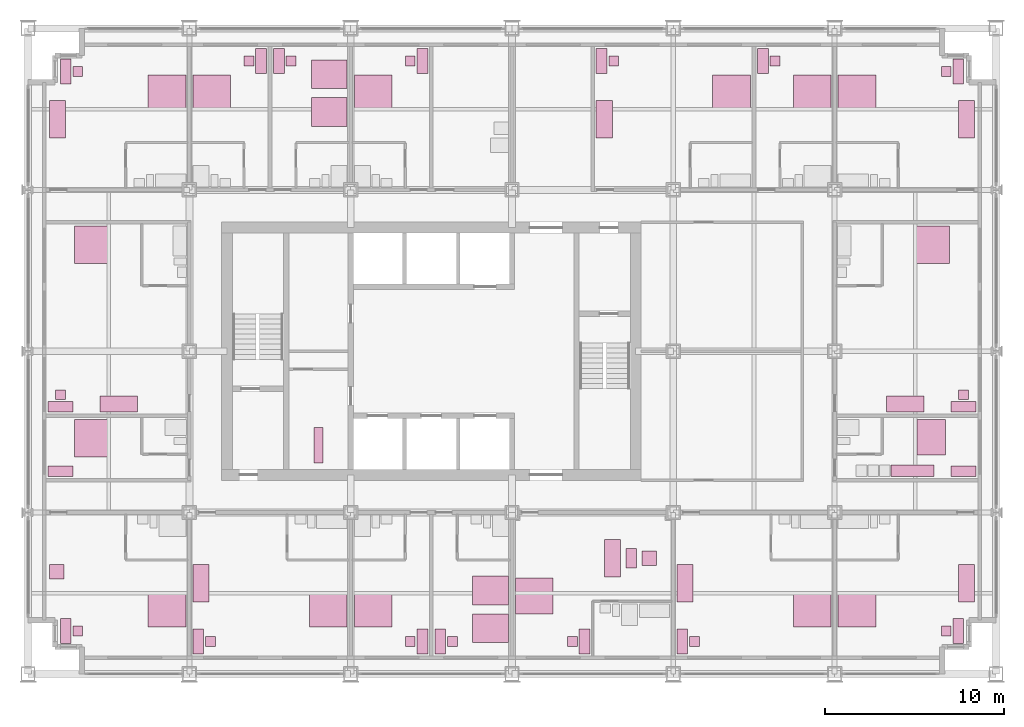
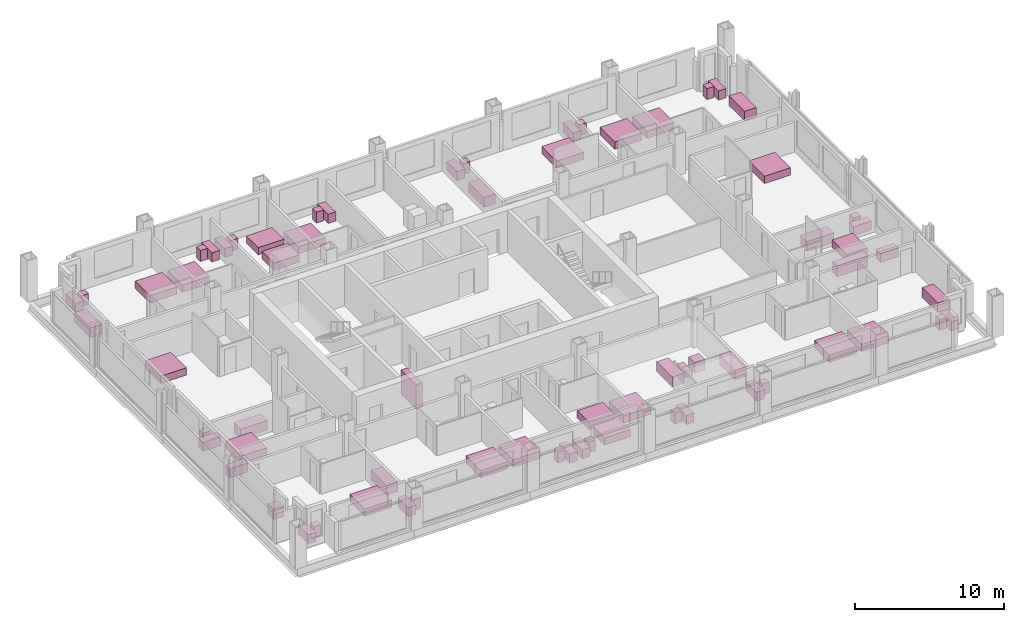
# One storey, part 18 of 18: 68 furniture elements.
"""IFC4 building model written with IfcOpenShell, lengths in metres."""

from ifc_helpers import new_model, si_unit, direction, frame, origin, origin_2d, place, context, subcontext, project, spatial, rectangle, extrude, element, save


model = new_model("IFC4")

# Units and contexts
model_context = context("Model", 3, precision=1e-05, world=origin(), true_north=direction((0.0, 1.0)))
body_context = subcontext(model_context, "Body", "Model", "MODEL_VIEW")
ifc_project = project(units=[si_unit("LENGTHUNIT", "METRE"), si_unit("AREAUNIT", "SQUARE_METRE"), si_unit("VOLUMEUNIT", "CUBIC_METRE"), si_unit("PLANEANGLEUNIT", "RADIAN"), si_unit("MASSUNIT", "GRAM", prefix="KILO")], contexts=[model_context])

# Site, building, storey
site_placement = place(None, origin())
site = spatial("IfcSite", under=ifc_project, at=site_placement, CompositionType="ELEMENT")
building_placement = place(site_placement, origin())
building = spatial("IfcBuilding", under=site, at=building_placement, Name="Loomwork Tower", CompositionType="ELEMENT")
storey_placement = place(building_placement, frame((0.0, 0.0, 65.39990234375)))
storey = spatial("IfcBuildingStorey", under=building, at=storey_placement, Name="L16", CompositionType="ELEMENT", Elevation=65.39990234375)

# Furniture
furniture_1_placement = place(storey_placement, frame((7.75, 3.60009765625, 0.0), z_axis=(0.0, 0.0, 1.0), x_axis=(1.0, 0.0, 0.0)))
element("IfcFurniture", 1, at=furniture_1_placement, inside=storey, Name="King bed L16", PredefinedType="BED", context=body_context, shape_type="SweptSolid", body=[
    extrude(rectangle(XDim=2.10009765625, YDim=2.0, at=origin_2d()), origin(), (0.0, 0.0, 1.0), 0.60009765625),
])
furniture_2_placement = place(storey_placement, frame((2.10009765625, 2.39990234375, 0.0), z_axis=(0.0, 0.0, 1.0), x_axis=(1.0, 0.0, 0.0)))
element("IfcFurniture", 2, at=furniture_2_placement, inside=storey, Name="Writing desk L16", PredefinedType="DESK", context=body_context, shape_type="SweptSolid", body=[
    extrude(rectangle(XDim=0.60009765625, YDim=1.39990234375, at=origin_2d()), origin(), (0.0, 0.0, 1.0), 0.75),
])
furniture_3_placement = place(storey_placement, frame((2.77490234375, 2.39990234375, 0.000244140625), z_axis=(0.0, 0.0, 1.0), x_axis=(1.0, 0.0, 0.0)))
element("IfcFurniture", 3, at=furniture_3_placement, inside=storey, Name="Desk chair L16", PredefinedType="CHAIR", context=body_context, shape_type="SweptSolid", body=[
    extrude(rectangle(XDim=0.550048828125, YDim=0.550048828125, at=origin_2d()), origin(), (0.0, 0.0, 1.0), 0.89990234375),
])
furniture_4_placement = place(storey_placement, frame((1.60009765625, 5.699951171875, 0.0), z_axis=(0.0, 0.0, 1.0), x_axis=(1.0, 0.0, 0.0)))
element("IfcFurniture", 4, at=furniture_4_placement, inside=storey, Name="Lounge armchair L16", PredefinedType="CHAIR", context=body_context, shape_type="SweptSolid", body=[
    extrude(rectangle(XDim=0.800048828125, YDim=0.800048828125, at=origin_2d()), origin(), (0.0, 0.0, 1.0), 0.85009765625),
])
furniture_5_placement = place(storey_placement, frame((16.75, 3.60009765625, 0.0), z_axis=(0.0, 0.0, 1.0), x_axis=(1.0, 0.0, 0.0)))
element("IfcFurniture", 5, at=furniture_5_placement, inside=storey, Name="King bed L16", PredefinedType="BED", context=body_context, shape_type="SweptSolid", body=[
    extrude(rectangle(XDim=2.10009765625, YDim=2.0, at=origin_2d()), origin(), (0.0, 0.0, 1.0), 0.60009765625),
])
furniture_6_placement = place(storey_placement, frame((9.5, 1.800048828125, 0.0), z_axis=(0.0, 0.0, 1.0), x_axis=(1.0, 0.0, 0.0)))
element("IfcFurniture", 6, at=furniture_6_placement, inside=storey, Name="Writing desk L16", PredefinedType="DESK", context=body_context, shape_type="SweptSolid", body=[
    extrude(rectangle(XDim=0.60009765625, YDim=1.39990234375, at=origin_2d()), origin(), (0.0, 0.0, 1.0), 0.75),
])
furniture_7_placement = place(storey_placement, frame((10.175048828125, 1.800048828125, 0.000244140625), z_axis=(0.0, 0.0, 1.0), x_axis=(1.0, 0.0, 0.0)))
element("IfcFurniture", 7, at=furniture_7_placement, inside=storey, Name="Desk chair L16", PredefinedType="CHAIR", context=body_context, shape_type="SweptSolid", body=[
    extrude(rectangle(XDim=0.550048828125, YDim=0.550048828125, at=origin_2d()), origin(), (0.0, 0.0, 1.0), 0.89990234375),
])
furniture_8_placement = place(storey_placement, frame((9.64990234375, 5.050048828125, 0.0), z_axis=(0.0, 0.0, 1.0), x_axis=(1.0, 0.0, 0.0)))
element("IfcFurniture", 8, at=furniture_8_placement, inside=storey, Name="Sofa L16", PredefinedType="SOFA", context=body_context, shape_type="SweptSolid", body=[
    extrude(rectangle(XDim=0.89990234375, YDim=2.10009765625, at=origin_2d()), origin(), (0.0, 0.0, 1.0), 0.800048828125),
])
furniture_9_placement = place(storey_placement, frame((19.25, 3.60009765625, 0.0), z_axis=(0.0, 0.0, 1.0), x_axis=(1.0, 0.0, 0.0)))
element("IfcFurniture", 9, at=furniture_9_placement, inside=storey, Name="King bed L16", PredefinedType="BED", context=body_context, shape_type="SweptSolid", body=[
    extrude(rectangle(XDim=2.10009765625, YDim=2.0, at=origin_2d()), origin(), (0.0, 0.0, 1.0), 0.60009765625),
])
furniture_10_placement = place(storey_placement, frame((22.0, 1.800048828125, 0.0), z_axis=(0.0, 0.0, 1.0), x_axis=(1.0, 0.0, 0.0)))
element("IfcFurniture", 10, at=furniture_10_placement, inside=storey, Name="Writing desk L16", PredefinedType="DESK", context=body_context, shape_type="SweptSolid", body=[
    extrude(rectangle(XDim=0.60009765625, YDim=1.39990234375, at=origin_2d()), origin(), (0.0, 0.0, 1.0), 0.75),
])
furniture_11_placement = place(storey_placement, frame((21.324951171875, 1.800048828125, 0.000244140625), z_axis=(0.0, 0.0, 1.0), x_axis=(1.0, 0.0, 0.0)))
element("IfcFurniture", 11, at=furniture_11_placement, inside=storey, Name="Desk chair L16", PredefinedType="CHAIR", context=body_context, shape_type="SweptSolid", body=[
    extrude(rectangle(XDim=0.550048828125, YDim=0.550048828125, at=origin_2d()), origin(), (0.0, 0.0, 1.0), 0.89990234375),
])
for number, where, z_axis, x_axis, name in (
    (12, (25.800048828125, 4.64990234375, 0.0), (0.0, 0.0, 1.0), (1.0, 0.0, 0.0), "Queen bed L16"),
    (13, (25.800048828125, 2.550048828125, 0.0), (0.0, 0.0, 1.0), (1.0, 0.0, 0.0), "Queen bed L16"),
):
    element("IfcFurniture", number, at=place(storey_placement, frame(where, z_axis=z_axis, x_axis=x_axis)), inside=storey, Name=name, PredefinedType="BED", context=body_context, shape_type="SweptSolid", body=[
        extrude(rectangle(XDim=2.0, YDim=1.60009765625, at=origin_2d()), origin(), (0.0, 0.0, 1.0), 0.60009765625),
    ])
furniture_12_placement = place(storey_placement, frame((23.0, 1.800048828125, 0.0), z_axis=(0.0, 0.0, 1.0), x_axis=(1.0, 0.0, 0.0)))
element("IfcFurniture", 14, at=furniture_12_placement, inside=storey, Name="Writing desk L16", PredefinedType="DESK", context=body_context, shape_type="SweptSolid", body=[
    extrude(rectangle(XDim=0.60009765625, YDim=1.39990234375, at=origin_2d()), origin(), (0.0, 0.0, 1.0), 0.75),
])
furniture_13_placement = place(storey_placement, frame((23.675048828125, 1.800048828125, 0.000244140625), z_axis=(0.0, 0.0, 1.0), x_axis=(1.0, 0.0, 0.0)))
element("IfcFurniture", 15, at=furniture_13_placement, inside=storey, Name="Desk chair L16", PredefinedType="CHAIR", context=body_context, shape_type="SweptSolid", body=[
    extrude(rectangle(XDim=0.550048828125, YDim=0.550048828125, at=origin_2d()), origin(), (0.0, 0.0, 1.0), 0.89990234375),
])
furniture_14_placement = place(storey_placement, frame((28.25, 4.35009765625, 0.0), z_axis=(0.0, 0.0, 1.0), x_axis=(1.0, 0.0, 0.0)))
element("IfcFurniture", 16, at=furniture_14_placement, inside=storey, Name="King bed L16", PredefinedType="BED", context=body_context, shape_type="SweptSolid", body=[
    extrude(rectangle(XDim=2.10009765625, YDim=2.0, at=origin_2d()), origin(), (0.0, 0.0, 1.0), 0.60009765625),
])
furniture_15_placement = place(storey_placement, frame((31.050048828125, 1.800048828125, 0.0), z_axis=(0.0, 0.0, 1.0), x_axis=(1.0, 0.0, 0.0)))
element("IfcFurniture", 17, at=furniture_15_placement, inside=storey, Name="Writing desk L16", PredefinedType="DESK", context=body_context, shape_type="SweptSolid", body=[
    extrude(rectangle(XDim=0.60009765625, YDim=1.39990234375, at=origin_2d()), origin(), (0.0, 0.0, 1.0), 0.75),
])
furniture_16_placement = place(storey_placement, frame((30.375, 1.800048828125, 0.000244140625), z_axis=(0.0, 0.0, 1.0), x_axis=(1.0, 0.0, 0.0)))
element("IfcFurniture", 18, at=furniture_16_placement, inside=storey, Name="Desk chair L16", PredefinedType="CHAIR", context=body_context, shape_type="SweptSolid", body=[
    extrude(rectangle(XDim=0.550048828125, YDim=0.550048828125, at=origin_2d()), origin(), (0.0, 0.0, 1.0), 0.89990234375),
])
furniture_17_placement = place(storey_placement, frame((32.60009765625, 6.449951171875, 0.0), z_axis=(0.0, 0.0, 1.0), x_axis=(1.0, 0.0, 0.0)))
element("IfcFurniture", 19, at=furniture_17_placement, inside=storey, Name="Sofa L16", PredefinedType="SOFA", context=body_context, shape_type="SweptSolid", body=[
    extrude(rectangle(XDim=0.89990234375, YDim=2.10009765625, at=origin_2d()), origin(), (0.0, 0.0, 1.0), 0.800048828125),
])
furniture_18_placement = place(storey_placement, frame((33.64990234375, 6.449951171875, 0.0), z_axis=(0.0, 0.0, 1.0), x_axis=(1.0, 0.0, 0.0)))
element("IfcFurniture", 20, at=furniture_18_placement, inside=storey, Name="Coffee table L16", PredefinedType="TABLE", context=body_context, shape_type="SweptSolid", body=[
    extrude(rectangle(XDim=0.60009765625, YDim=1.10009765625, at=origin_2d()), origin(), (0.0, 0.0, 1.0), 0.449951171875),
])
furniture_19_placement = place(storey_placement, frame((34.64990234375, 6.449951171875, 0.0), z_axis=(0.0, 0.0, 1.0), x_axis=(1.0, 0.0, 0.0)))
element("IfcFurniture", 21, at=furniture_19_placement, inside=storey, Name="Lounge armchair L16", PredefinedType="CHAIR", context=body_context, shape_type="SweptSolid", body=[
    extrude(rectangle(XDim=0.800048828125, YDim=0.800048828125, at=origin_2d()), origin(), (0.0, 0.0, 1.0), 0.85009765625),
])
furniture_20_placement = place(storey_placement, frame((43.75, 3.60009765625, 0.0), z_axis=(0.0, 0.0, 1.0), x_axis=(1.0, 0.0, 0.0)))
element("IfcFurniture", 22, at=furniture_20_placement, inside=storey, Name="King bed L16", PredefinedType="BED", context=body_context, shape_type="SweptSolid", body=[
    extrude(rectangle(XDim=2.10009765625, YDim=2.0, at=origin_2d()), origin(), (0.0, 0.0, 1.0), 0.60009765625),
])
furniture_21_placement = place(storey_placement, frame((36.5, 1.800048828125, 0.0), z_axis=(0.0, 0.0, 1.0), x_axis=(1.0, 0.0, 0.0)))
element("IfcFurniture", 23, at=furniture_21_placement, inside=storey, Name="Writing desk L16", PredefinedType="DESK", context=body_context, shape_type="SweptSolid", body=[
    extrude(rectangle(XDim=0.60009765625, YDim=1.39990234375, at=origin_2d()), origin(), (0.0, 0.0, 1.0), 0.75),
])
furniture_22_placement = place(storey_placement, frame((37.175048828125, 1.800048828125, 0.000244140625), z_axis=(0.0, 0.0, 1.0), x_axis=(1.0, 0.0, 0.0)))
element("IfcFurniture", 24, at=furniture_22_placement, inside=storey, Name="Desk chair L16", PredefinedType="CHAIR", context=body_context, shape_type="SweptSolid", body=[
    extrude(rectangle(XDim=0.550048828125, YDim=0.550048828125, at=origin_2d()), origin(), (0.0, 0.0, 1.0), 0.89990234375),
])
furniture_23_placement = place(storey_placement, frame((36.64990234375, 5.050048828125, 0.0), z_axis=(0.0, 0.0, 1.0), x_axis=(1.0, 0.0, 0.0)))
element("IfcFurniture", 25, at=furniture_23_placement, inside=storey, Name="Sofa L16", PredefinedType="SOFA", context=body_context, shape_type="SweptSolid", body=[
    extrude(rectangle(XDim=0.89990234375, YDim=2.10009765625, at=origin_2d()), origin(), (0.0, 0.0, 1.0), 0.800048828125),
])
furniture_24_placement = place(storey_placement, frame((46.25, 3.60009765625, 0.0), z_axis=(0.0, 0.0, 1.0), x_axis=(1.0, 0.0, 0.0)))
element("IfcFurniture", 26, at=furniture_24_placement, inside=storey, Name="King bed L16", PredefinedType="BED", context=body_context, shape_type="SweptSolid", body=[
    extrude(rectangle(XDim=2.10009765625, YDim=2.0, at=origin_2d()), origin(), (0.0, 0.0, 1.0), 0.60009765625),
])
furniture_25_placement = place(storey_placement, frame((51.89990234375, 2.39990234375, 0.0), z_axis=(0.0, 0.0, 1.0), x_axis=(1.0, 0.0, 0.0)))
element("IfcFurniture", 27, at=furniture_25_placement, inside=storey, Name="Writing desk L16", PredefinedType="DESK", context=body_context, shape_type="SweptSolid", body=[
    extrude(rectangle(XDim=0.60009765625, YDim=1.39990234375, at=origin_2d()), origin(), (0.0, 0.0, 1.0), 0.75),
])
furniture_26_placement = place(storey_placement, frame((51.22509765625, 2.39990234375, 0.000244140625), z_axis=(0.0, 0.0, 1.0), x_axis=(1.0, 0.0, 0.0)))
element("IfcFurniture", 28, at=furniture_26_placement, inside=storey, Name="Desk chair L16", PredefinedType="CHAIR", context=body_context, shape_type="SweptSolid", body=[
    extrude(rectangle(XDim=0.550048828125, YDim=0.550048828125, at=origin_2d()), origin(), (0.0, 0.0, 1.0), 0.89990234375),
])
furniture_27_placement = place(storey_placement, frame((52.35009765625, 5.050048828125, 0.0), z_axis=(0.0, 0.0, 1.0), x_axis=(1.0, 0.0, 0.0)))
element("IfcFurniture", 29, at=furniture_27_placement, inside=storey, Name="Sofa L16", PredefinedType="SOFA", context=body_context, shape_type="SweptSolid", body=[
    extrude(rectangle(XDim=0.89990234375, YDim=2.10009765625, at=origin_2d()), origin(), (0.0, 0.0, 1.0), 0.800048828125),
])
furniture_28_placement = place(storey_placement, frame((7.75, 32.39990234375, 0.0), z_axis=(0.0, 0.0, 1.0), x_axis=(1.0, 0.0, 0.0)))
element("IfcFurniture", 30, at=furniture_28_placement, inside=storey, Name="King bed L16", PredefinedType="BED", context=body_context, shape_type="SweptSolid", body=[
    extrude(rectangle(XDim=2.10009765625, YDim=2.0, at=origin_2d()), origin(), (0.0, 0.0, 1.0), 0.60009765625),
])
furniture_29_placement = place(storey_placement, frame((2.10009765625, 33.60009765625, 0.0), z_axis=(0.0, 0.0, 1.0), x_axis=(1.0, 0.0, 0.0)))
element("IfcFurniture", 31, at=furniture_29_placement, inside=storey, Name="Writing desk L16", PredefinedType="DESK", context=body_context, shape_type="SweptSolid", body=[
    extrude(rectangle(XDim=0.60009765625, YDim=1.39990234375, at=origin_2d()), origin(), (0.0, 0.0, 1.0), 0.75),
])
furniture_30_placement = place(storey_placement, frame((2.77490234375, 33.60009765625, 0.000244140625), z_axis=(0.0, 0.0, 1.0), x_axis=(1.0, 0.0, 0.0)))
element("IfcFurniture", 32, at=furniture_30_placement, inside=storey, Name="Desk chair L16", PredefinedType="CHAIR", context=body_context, shape_type="SweptSolid", body=[
    extrude(rectangle(XDim=0.550048828125, YDim=0.550048828125, at=origin_2d()), origin(), (0.0, 0.0, 1.0), 0.89990234375),
])
furniture_31_placement = place(storey_placement, frame((1.64990234375, 30.949951171875, 0.0), z_axis=(0.0, 0.0, 1.0), x_axis=(1.0, 0.0, 0.0)))
element("IfcFurniture", 33, at=furniture_31_placement, inside=storey, Name="Sofa L16", PredefinedType="SOFA", context=body_context, shape_type="SweptSolid", body=[
    extrude(rectangle(XDim=0.89990234375, YDim=2.10009765625, at=origin_2d()), origin(), (0.0, 0.0, 1.0), 0.800048828125),
])
furniture_32_placement = place(storey_placement, frame((10.25, 32.39990234375, 0.0), z_axis=(0.0, 0.0, 1.0), x_axis=(1.0, 0.0, 0.0)))
element("IfcFurniture", 34, at=furniture_32_placement, inside=storey, Name="King bed L16", PredefinedType="BED", context=body_context, shape_type="SweptSolid", body=[
    extrude(rectangle(XDim=2.10009765625, YDim=2.0, at=origin_2d()), origin(), (0.0, 0.0, 1.0), 0.60009765625),
])
furniture_33_placement = place(storey_placement, frame((13.0, 34.199951171875, 0.0), z_axis=(0.0, 0.0, 1.0), x_axis=(1.0, 0.0, 0.0)))
element("IfcFurniture", 35, at=furniture_33_placement, inside=storey, Name="Writing desk L16", PredefinedType="DESK", context=body_context, shape_type="SweptSolid", body=[
    extrude(rectangle(XDim=0.60009765625, YDim=1.39990234375, at=origin_2d()), origin(), (0.0, 0.0, 1.0), 0.75),
])
furniture_34_placement = place(storey_placement, frame((12.324951171875, 34.199951171875, 0.000244140625), z_axis=(0.0, 0.0, 1.0), x_axis=(1.0, 0.0, 0.0)))
element("IfcFurniture", 36, at=furniture_34_placement, inside=storey, Name="Desk chair L16", PredefinedType="CHAIR", context=body_context, shape_type="SweptSolid", body=[
    extrude(rectangle(XDim=0.550048828125, YDim=0.550048828125, at=origin_2d()), origin(), (0.0, 0.0, 1.0), 0.89990234375),
])
for number, where, z_axis, x_axis, name in (
    (37, (16.800048828125, 31.35009765625, 0.0), (0.0, 0.0, 1.0), (1.0, 0.0, 0.0), "Queen bed L16"),
    (38, (16.800048828125, 33.449951171875, 0.0), (0.0, 0.0, 1.0), (1.0, 0.0, 0.0), "Queen bed L16"),
):
    element("IfcFurniture", number, at=place(storey_placement, frame(where, z_axis=z_axis, x_axis=x_axis)), inside=storey, Name=name, PredefinedType="BED", context=body_context, shape_type="SweptSolid", body=[
        extrude(rectangle(XDim=2.0, YDim=1.60009765625, at=origin_2d()), origin(), (0.0, 0.0, 1.0), 0.60009765625),
    ])
furniture_35_placement = place(storey_placement, frame((14.0, 34.199951171875, 0.0), z_axis=(0.0, 0.0, 1.0), x_axis=(1.0, 0.0, 0.0)))
element("IfcFurniture", 39, at=furniture_35_placement, inside=storey, Name="Writing desk L16", PredefinedType="DESK", context=body_context, shape_type="SweptSolid", body=[
    extrude(rectangle(XDim=0.60009765625, YDim=1.39990234375, at=origin_2d()), origin(), (0.0, 0.0, 1.0), 0.75),
])
furniture_36_placement = place(storey_placement, frame((14.675048828125, 34.199951171875, 0.000244140625), z_axis=(0.0, 0.0, 1.0), x_axis=(1.0, 0.0, 0.0)))
element("IfcFurniture", 40, at=furniture_36_placement, inside=storey, Name="Desk chair L16", PredefinedType="CHAIR", context=body_context, shape_type="SweptSolid", body=[
    extrude(rectangle(XDim=0.550048828125, YDim=0.550048828125, at=origin_2d()), origin(), (0.0, 0.0, 1.0), 0.89990234375),
])
furniture_37_placement = place(storey_placement, frame((19.25, 32.39990234375, 0.0), z_axis=(0.0, 0.0, 1.0), x_axis=(1.0, 0.0, 0.0)))
element("IfcFurniture", 41, at=furniture_37_placement, inside=storey, Name="King bed L16", PredefinedType="BED", context=body_context, shape_type="SweptSolid", body=[
    extrude(rectangle(XDim=2.10009765625, YDim=2.0, at=origin_2d()), origin(), (0.0, 0.0, 1.0), 0.60009765625),
])
furniture_38_placement = place(storey_placement, frame((22.0, 34.199951171875, 0.0), z_axis=(0.0, 0.0, 1.0), x_axis=(1.0, 0.0, 0.0)))
element("IfcFurniture", 42, at=furniture_38_placement, inside=storey, Name="Writing desk L16", PredefinedType="DESK", context=body_context, shape_type="SweptSolid", body=[
    extrude(rectangle(XDim=0.60009765625, YDim=1.39990234375, at=origin_2d()), origin(), (0.0, 0.0, 1.0), 0.75),
])
furniture_39_placement = place(storey_placement, frame((21.324951171875, 34.199951171875, 0.000244140625), z_axis=(0.0, 0.0, 1.0), x_axis=(1.0, 0.0, 0.0)))
element("IfcFurniture", 43, at=furniture_39_placement, inside=storey, Name="Desk chair L16", PredefinedType="CHAIR", context=body_context, shape_type="SweptSolid", body=[
    extrude(rectangle(XDim=0.550048828125, YDim=0.550048828125, at=origin_2d()), origin(), (0.0, 0.0, 1.0), 0.89990234375),
])
furniture_40_placement = place(storey_placement, frame((39.25, 32.39990234375, 0.0), z_axis=(0.0, 0.0, 1.0), x_axis=(1.0, 0.0, 0.0)))
element("IfcFurniture", 44, at=furniture_40_placement, inside=storey, Name="King bed L16", PredefinedType="BED", context=body_context, shape_type="SweptSolid", body=[
    extrude(rectangle(XDim=2.10009765625, YDim=2.0, at=origin_2d()), origin(), (0.0, 0.0, 1.0), 0.60009765625),
])
furniture_41_placement = place(storey_placement, frame((32.0, 34.199951171875, 0.0), z_axis=(0.0, 0.0, 1.0), x_axis=(1.0, 0.0, 0.0)))
element("IfcFurniture", 45, at=furniture_41_placement, inside=storey, Name="Writing desk L16", PredefinedType="DESK", context=body_context, shape_type="SweptSolid", body=[
    extrude(rectangle(XDim=0.60009765625, YDim=1.39990234375, at=origin_2d()), origin(), (0.0, 0.0, 1.0), 0.75),
])
furniture_42_placement = place(storey_placement, frame((32.675048828125, 34.199951171875, 0.000244140625), z_axis=(0.0, 0.0, 1.0), x_axis=(1.0, 0.0, 0.0)))
element("IfcFurniture", 46, at=furniture_42_placement, inside=storey, Name="Desk chair L16", PredefinedType="CHAIR", context=body_context, shape_type="SweptSolid", body=[
    extrude(rectangle(XDim=0.550048828125, YDim=0.550048828125, at=origin_2d()), origin(), (0.0, 0.0, 1.0), 0.89990234375),
])
furniture_43_placement = place(storey_placement, frame((32.14990234375, 30.949951171875, 0.0), z_axis=(0.0, 0.0, 1.0), x_axis=(1.0, 0.0, 0.0)))
element("IfcFurniture", 47, at=furniture_43_placement, inside=storey, Name="Sofa L16", PredefinedType="SOFA", context=body_context, shape_type="SweptSolid", body=[
    extrude(rectangle(XDim=0.89990234375, YDim=2.10009765625, at=origin_2d()), origin(), (0.0, 0.0, 1.0), 0.800048828125),
])
furniture_44_placement = place(storey_placement, frame((43.75, 32.39990234375, 0.0), z_axis=(0.0, 0.0, 1.0), x_axis=(1.0, 0.0, 0.0)))
element("IfcFurniture", 48, at=furniture_44_placement, inside=storey, Name="King bed L16", PredefinedType="BED", context=body_context, shape_type="SweptSolid", body=[
    extrude(rectangle(XDim=2.10009765625, YDim=2.0, at=origin_2d()), origin(), (0.0, 0.0, 1.0), 0.60009765625),
])
furniture_45_placement = place(storey_placement, frame((41.0, 34.199951171875, 0.0), z_axis=(0.0, 0.0, 1.0), x_axis=(1.0, 0.0, 0.0)))
element("IfcFurniture", 49, at=furniture_45_placement, inside=storey, Name="Writing desk L16", PredefinedType="DESK", context=body_context, shape_type="SweptSolid", body=[
    extrude(rectangle(XDim=0.60009765625, YDim=1.39990234375, at=origin_2d()), origin(), (0.0, 0.0, 1.0), 0.75),
])
furniture_46_placement = place(storey_placement, frame((41.675048828125, 34.199951171875, 0.000244140625), z_axis=(0.0, 0.0, 1.0), x_axis=(1.0, 0.0, 0.0)))
element("IfcFurniture", 50, at=furniture_46_placement, inside=storey, Name="Desk chair L16", PredefinedType="CHAIR", context=body_context, shape_type="SweptSolid", body=[
    extrude(rectangle(XDim=0.550048828125, YDim=0.550048828125, at=origin_2d()), origin(), (0.0, 0.0, 1.0), 0.89990234375),
])
furniture_47_placement = place(storey_placement, frame((46.25, 32.39990234375, 0.0), z_axis=(0.0, 0.0, 1.0), x_axis=(1.0, 0.0, 0.0)))
element("IfcFurniture", 51, at=furniture_47_placement, inside=storey, Name="King bed L16", PredefinedType="BED", context=body_context, shape_type="SweptSolid", body=[
    extrude(rectangle(XDim=2.10009765625, YDim=2.0, at=origin_2d()), origin(), (0.0, 0.0, 1.0), 0.60009765625),
])
furniture_48_placement = place(storey_placement, frame((51.89990234375, 33.60009765625, 0.0), z_axis=(0.0, 0.0, 1.0), x_axis=(1.0, 0.0, 0.0)))
element("IfcFurniture", 52, at=furniture_48_placement, inside=storey, Name="Writing desk L16", PredefinedType="DESK", context=body_context, shape_type="SweptSolid", body=[
    extrude(rectangle(XDim=0.60009765625, YDim=1.39990234375, at=origin_2d()), origin(), (0.0, 0.0, 1.0), 0.75),
])
furniture_49_placement = place(storey_placement, frame((51.22509765625, 33.60009765625, 0.000244140625), z_axis=(0.0, 0.0, 1.0), x_axis=(1.0, 0.0, 0.0)))
element("IfcFurniture", 53, at=furniture_49_placement, inside=storey, Name="Desk chair L16", PredefinedType="CHAIR", context=body_context, shape_type="SweptSolid", body=[
    extrude(rectangle(XDim=0.550048828125, YDim=0.550048828125, at=origin_2d()), origin(), (0.0, 0.0, 1.0), 0.89990234375),
])
furniture_50_placement = place(storey_placement, frame((52.35009765625, 30.949951171875, 0.0), z_axis=(0.0, 0.0, 1.0), x_axis=(1.0, 0.0, 0.0)))
element("IfcFurniture", 54, at=furniture_50_placement, inside=storey, Name="Sofa L16", PredefinedType="SOFA", context=body_context, shape_type="SweptSolid", body=[
    extrude(rectangle(XDim=0.89990234375, YDim=2.10009765625, at=origin_2d()), origin(), (0.0, 0.0, 1.0), 0.800048828125),
])
furniture_51_placement = place(storey_placement, frame((3.60009765625, 13.14990234375, 0.0), z_axis=(0.0, 0.0, 1.0), x_axis=(1.0, 0.0, 0.0)))
element("IfcFurniture", 55, at=furniture_51_placement, inside=storey, Name="King bed L16", PredefinedType="BED", context=body_context, shape_type="SweptSolid", body=[
    extrude(rectangle(XDim=2.0, YDim=2.10009765625, at=origin_2d()), origin(), (0.0, 0.0, 1.0), 0.60009765625),
])
furniture_52_placement = place(storey_placement, frame((1.800048828125, 11.300048828125, 0.0), z_axis=(0.0, 0.0, 1.0), x_axis=(1.0, 0.0, 0.0)))
element("IfcFurniture", 56, at=furniture_52_placement, inside=storey, Name="Writing desk L16", PredefinedType="DESK", context=body_context, shape_type="SweptSolid", body=[
    extrude(rectangle(XDim=1.39990234375, YDim=0.60009765625, at=origin_2d()), origin(), (0.0, 0.0, 1.0), 0.75),
])
furniture_53_placement = place(storey_placement, frame((3.60009765625, 23.949951171875, 0.0), z_axis=(0.0, 0.0, 1.0), x_axis=(1.0, 0.0, 0.0)))
element("IfcFurniture", 57, at=furniture_53_placement, inside=storey, Name="King bed L16", PredefinedType="BED", context=body_context, shape_type="SweptSolid", body=[
    extrude(rectangle(XDim=2.0, YDim=2.10009765625, at=origin_2d()), origin(), (0.0, 0.0, 1.0), 0.60009765625),
])
furniture_54_placement = place(storey_placement, frame((1.800048828125, 14.89990234375, 0.0), z_axis=(0.0, 0.0, 1.0), x_axis=(1.0, 0.0, 0.0)))
element("IfcFurniture", 58, at=furniture_54_placement, inside=storey, Name="Writing desk L16", PredefinedType="DESK", context=body_context, shape_type="SweptSolid", body=[
    extrude(rectangle(XDim=1.39990234375, YDim=0.60009765625, at=origin_2d()), origin(), (0.0, 0.0, 1.0), 0.75),
])
furniture_55_placement = place(storey_placement, frame((1.800048828125, 15.574951171875, 0.000244140625), z_axis=(0.0, 0.0, 1.0), x_axis=(1.0, 0.0, 0.0)))
element("IfcFurniture", 59, at=furniture_55_placement, inside=storey, Name="Desk chair L16", PredefinedType="CHAIR", context=body_context, shape_type="SweptSolid", body=[
    extrude(rectangle(XDim=0.550048828125, YDim=0.550048828125, at=origin_2d()), origin(), (0.0, 0.0, 1.0), 0.89990234375),
])
furniture_56_placement = place(storey_placement, frame((5.050048828125, 15.050048828125, 0.0), z_axis=(0.0, 0.0, 1.0), x_axis=(1.0, 0.0, 0.0)))
element("IfcFurniture", 60, at=furniture_56_placement, inside=storey, Name="Sofa L16", PredefinedType="SOFA", context=body_context, shape_type="SweptSolid", body=[
    extrude(rectangle(XDim=2.10009765625, YDim=0.89990234375, at=origin_2d()), origin(), (0.0, 0.0, 1.0), 0.800048828125),
])
furniture_57_placement = place(storey_placement, frame((50.39990234375, 13.199951171875, 0.0), z_axis=(0.0, 0.0, 1.0), x_axis=(1.0, 0.0, 0.0)))
element("IfcFurniture", 61, at=furniture_57_placement, inside=storey, Name="Queen bed L16", PredefinedType="BED", context=body_context, shape_type="SweptSolid", body=[
    extrude(rectangle(XDim=1.60009765625, YDim=2.0, at=origin_2d()), origin(), (0.0, 0.0, 1.0), 0.60009765625),
])
furniture_58_placement = place(storey_placement, frame((52.199951171875, 11.300048828125, 0.0), z_axis=(0.0, 0.0, 1.0), x_axis=(1.0, 0.0, 0.0)))
element("IfcFurniture", 62, at=furniture_58_placement, inside=storey, Name="Writing desk L16", PredefinedType="DESK", context=body_context, shape_type="SweptSolid", body=[
    extrude(rectangle(XDim=1.39990234375, YDim=0.60009765625, at=origin_2d()), origin(), (0.0, 0.0, 1.0), 0.75),
])
furniture_59_placement = place(storey_placement, frame((49.35009765625, 11.324951171875, 0.000244140625), z_axis=(0.0, 0.0, 1.0), x_axis=(1.0, 0.0, 0.0)))
element("IfcFurniture", 63, at=furniture_59_placement, inside=storey, Name="Kitchenette counter L16", ObjectType="KITCHENETTE", PredefinedType="USERDEFINED", context=body_context, shape_type="SweptSolid", body=[
    extrude(rectangle(XDim=2.39990234375, YDim=0.64990234375, at=origin_2d()), origin(), (0.0, 0.0, 1.0), 0.89990234375),
])
furniture_60_placement = place(storey_placement, frame((50.39990234375, 23.949951171875, 0.0), z_axis=(0.0, 0.0, 1.0), x_axis=(1.0, 0.0, 0.0)))
element("IfcFurniture", 64, at=furniture_60_placement, inside=storey, Name="King bed L16", PredefinedType="BED", context=body_context, shape_type="SweptSolid", body=[
    extrude(rectangle(XDim=2.0, YDim=2.10009765625, at=origin_2d()), origin(), (0.0, 0.0, 1.0), 0.60009765625),
])
furniture_61_placement = place(storey_placement, frame((52.199951171875, 14.89990234375, 0.0), z_axis=(0.0, 0.0, 1.0), x_axis=(1.0, 0.0, 0.0)))
element("IfcFurniture", 65, at=furniture_61_placement, inside=storey, Name="Writing desk L16", PredefinedType="DESK", context=body_context, shape_type="SweptSolid", body=[
    extrude(rectangle(XDim=1.39990234375, YDim=0.60009765625, at=origin_2d()), origin(), (0.0, 0.0, 1.0), 0.75),
])
furniture_62_placement = place(storey_placement, frame((52.199951171875, 15.574951171875, 0.000244140625), z_axis=(0.0, 0.0, 1.0), x_axis=(1.0, 0.0, 0.0)))
element("IfcFurniture", 66, at=furniture_62_placement, inside=storey, Name="Desk chair L16", PredefinedType="CHAIR", context=body_context, shape_type="SweptSolid", body=[
    extrude(rectangle(XDim=0.550048828125, YDim=0.550048828125, at=origin_2d()), origin(), (0.0, 0.0, 1.0), 0.89990234375),
])
furniture_63_placement = place(storey_placement, frame((48.949951171875, 15.050048828125, 0.0), z_axis=(0.0, 0.0, 1.0), x_axis=(1.0, 0.0, 0.0)))
element("IfcFurniture", 67, at=furniture_63_placement, inside=storey, Name="Sofa L16", PredefinedType="SOFA", context=body_context, shape_type="SweptSolid", body=[
    extrude(rectangle(XDim=2.10009765625, YDim=0.89990234375, at=origin_2d()), origin(), (0.0, 0.0, 1.0), 0.800048828125),
])
furniture_64_placement = place(storey_placement, frame((16.199951171875, 12.75, 0.0), z_axis=(0.0, 0.0, 1.0), x_axis=(1.0, 0.0, 0.0)))
element("IfcFurniture", 68, at=furniture_64_placement, inside=storey, Name="Linen shelving L16", PredefinedType="SHELF", context=body_context, shape_type="SweptSolid", body=[
    extrude(rectangle(XDim=0.5, YDim=2.0, at=origin_2d()), origin(), (0.0, 0.0, 1.0), 2.0),
])

save(model, "model.ifc")
